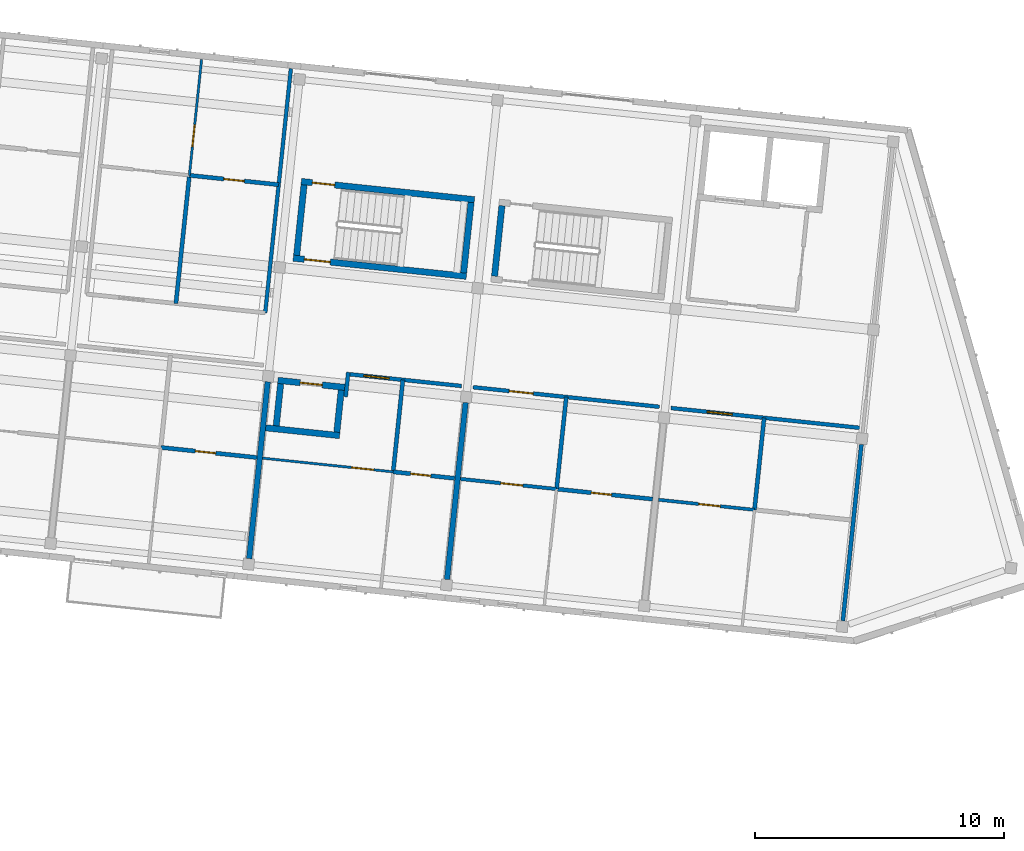
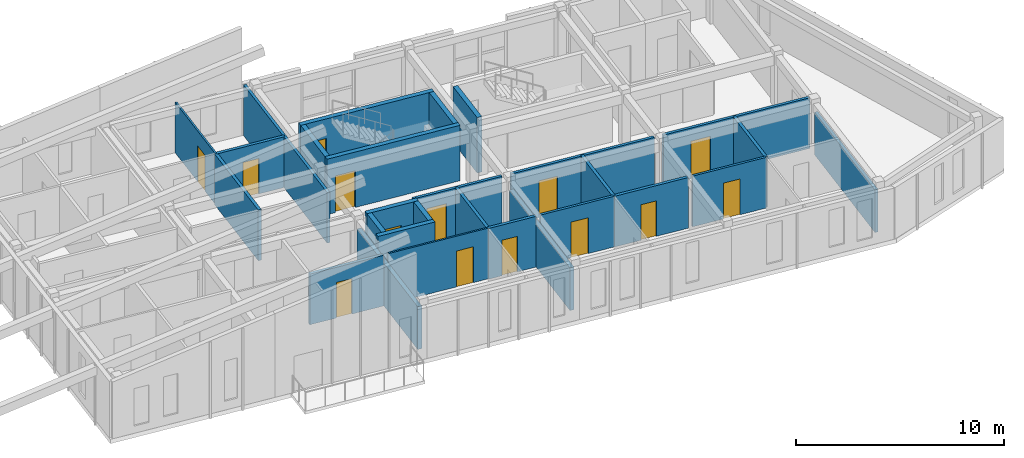
# One storey, part 18 of 34: 29 walls, 14 doors, 14 openings.
"""IFC4 building model written with IfcOpenShell, lengths in metres."""

import ifcopenshell
import ifcopenshell.guid

model = None  # the IFC model being written
_history = None  # IfcOwnerHistory: only IFC2X3 demands one
_inside = {}  # id of a spatial element -> (the spatial element, [elements in it])
_under = {}  # id of a project, library or spatial element -> (it, [spatial elements below it])
_declared = {}  # id of a project -> (the project, [libraries it declares])
_typed = {}  # id of a type object -> (the type object, [elements of that type])
_made_of = {}  # id of a material, layer set ... -> (it, [elements and type objects made of it])


def new_model(schema):
    """Start an empty IFC model of exactly this schema.

    Asked for "IFC4X3", IfcOpenShell would pick the latest addendum, in which some entities
    have other attributes; the version numbers below select the first issue.
    IFC2X3 requires an IfcOwnerHistory on every rooted entity: one is made here for all.
    """
    global model, _history
    if schema == "IFC4X3":
        model = ifcopenshell.file(schema_version=(4, 3, 0, 0))
    else:
        model = ifcopenshell.file(schema=schema)
    _inside.clear()
    _under.clear()
    _declared.clear()
    _typed.clear()
    _made_of.clear()
    _history = None
    if model.schema == "IFC2X3":
        org = make("IfcOrganization", Name="unknown")
        user = make(
            "IfcPersonAndOrganization",
            ThePerson=make("IfcPerson", FamilyName="unknown"),
            TheOrganization=org,
        )
        app = make(
            "IfcApplication",
            ApplicationDeveloper=org,
            Version="unknown",
            ApplicationFullName="unknown",
            ApplicationIdentifier="unknown",
        )
        _history = make(
            "IfcOwnerHistory",
            OwningUser=user,
            OwningApplication=app,
            ChangeAction="ADDED",
            CreationDate=0,
        )
    return model


def make(cls, **values):
    """One entity of the class cls with the attributes given. An attribute that is None is left unset."""
    return model.create_entity(
        cls, **{name: value for name, value in values.items() if value is not None}
    )


def rooted(cls, **values):
    """An entity with a GlobalId (a new one), such as an element, a storey or a relation."""
    return make(cls, GlobalId=ifcopenshell.guid.new(), OwnerHistory=_history, **values)


def si_unit(unit_type, name, prefix=None):
    """IfcSIUnit, for example si_unit("LENGTHUNIT", "METRE", prefix="MILLI")."""
    return make("IfcSIUnit", UnitType=unit_type, Prefix=prefix, Name=name)


def assignment(units):
    """IfcUnitAssignment: the units of a project."""
    return None if units is None else make("IfcUnitAssignment", Units=units)


def point(xyz):
    """IfcCartesianPoint."""
    return None if xyz is None else make("IfcCartesianPoint", Coordinates=xyz)


def direction(xyz):
    """IfcDirection."""
    return None if xyz is None else make("IfcDirection", DirectionRatios=xyz)


def frame(location, z_axis=None, x_axis=None):
    """IfcAxis2Placement3D, a coordinate frame: its origin and axes. An axis left out is left unset."""
    return make(
        "IfcAxis2Placement3D",
        Location=point(location),
        Axis=direction(z_axis),
        RefDirection=direction(x_axis),
    )


def frame_2d(location, x_axis=None):
    """IfcAxis2Placement2D, a coordinate frame in the plane: its origin and x axis."""
    return make(
        "IfcAxis2Placement2D", Location=point(location), RefDirection=direction(x_axis)
    )


def origin():
    """The frame at (0, 0, 0) with its axes left unset."""
    return frame((0.0, 0.0, 0.0))


def place(relative_to, where):
    """IfcLocalPlacement: puts the frame where relative to a parent placement (None: the world)."""
    return make(
        "IfcLocalPlacement", PlacementRelTo=relative_to, RelativePlacement=where
    )


def context(
    kind, dimensions, precision=None, world=None, true_north=None, identifier=None
):
    """IfcGeometricRepresentationContext, for example the 3D "Model" context."""
    return make(
        "IfcGeometricRepresentationContext",
        ContextIdentifier=identifier,
        ContextType=kind,
        CoordinateSpaceDimension=dimensions,
        Precision=precision,
        WorldCoordinateSystem=world,
        TrueNorth=true_north,
    )


def subcontext(parent, identifier, kind, view, scale=None):
    """IfcGeometricRepresentationSubContext, for example "Body" below "Model"."""
    return make(
        "IfcGeometricRepresentationSubContext",
        ContextIdentifier=identifier,
        ContextType=kind,
        ParentContext=parent,
        TargetScale=scale,
        TargetView=view,
    )


def project(units=None, contexts=None):
    """IfcProject with its units and contexts."""
    return rooted(
        "IfcProject",
        Name="project",
        RepresentationContexts=contexts,
        UnitsInContext=assignment(units),
    )


def spatial(cls, under=None, at=None, **own):
    """A site, building, storey or space (cls), placed at a placement, below another one or the project."""
    s = rooted(cls, ObjectPlacement=at, **own)
    if under is not None:
        _under.setdefault(under.id(), (under, []))[1].append(s)
    return s


def profile(cls, at=None, kind="AREA", **sizes):
    """A parametric profile (cls). Its sizes go by their IFC names, for example OverallWidth=200.0."""
    return make(cls, ProfileType=kind, Position=at, **sizes)


def rectangle(**sizes):
    """IfcRectangleProfileDef."""
    return profile("IfcRectangleProfileDef", **sizes)


def extrude(swept, where, along, depth):
    """IfcExtrudedAreaSolid: the profile swept, set in the frame where, extruded along a direction by depth."""
    return make(
        "IfcExtrudedAreaSolid",
        SweptArea=swept,
        Position=where,
        ExtrudedDirection=direction(along),
        Depth=depth,
    )


def shape(context_of_items, identifier, shape_type, items):
    """IfcShapeRepresentation: the items that make up one representation, for example the "Body"."""
    return make(
        "IfcShapeRepresentation",
        ContextOfItems=context_of_items,
        RepresentationIdentifier=identifier,
        RepresentationType=shape_type,
        Items=items,
    )


def material(Name=None, Category=None):
    """IfcMaterial."""
    return make("IfcMaterial", Name=Name, Category=Category)


def layer(
    of_material, thickness, ventilated=None, Name=None, Category=None, Priority=None
):
    """IfcMaterialLayer: one layer of a wall or slab, of a material (None: an air gap)."""
    return make(
        "IfcMaterialLayer",
        Material=of_material,
        LayerThickness=thickness,
        IsVentilated=ventilated,
        Name=Name,
        Category=Category,
        Priority=Priority,
    )


def layer_set(layers, Name=None):
    """IfcMaterialLayerSet."""
    return make("IfcMaterialLayerSet", MaterialLayers=layers, LayerSetName=Name)


def made_of(thing, what):
    """Note that an element or type object is made of a material, layer set ...; save() writes the relation."""
    if what is not None:
        _made_of.setdefault(what.id(), (what, []))[1].append(thing)
    return thing


def type_object(cls, material=None, **own):
    """A type object (cls), such as IfcWallType, which elements share."""
    return made_of(rooted(cls, **own), material)


def element(
    cls,
    number,
    at=None,
    inside=None,
    cuts=None,
    type_object=None,
    material=None,
    context=None,
    identifier="Body",
    shape_type=None,
    held_by="IfcProductDefinitionShape",
    body=None,
    shapes=None,
    **own,
):
    """One element of the class cls, such as IfcWall. Its Tag is "e" and its number.

    at: its placement. inside: the storey or other place that contains it. cuts: it is an
    opening in that element (IfcRelVoidsElement). A single representation is given by context,
    identifier, shape_type and body (its items); several are given by shapes. held_by: the class
    of the entity that holds the representations. save() writes the other relations.
    """
    e = rooted(cls, Tag="e%d" % number, ObjectPlacement=at, **own)
    if body is not None:
        shapes = [shape(context, identifier, shape_type, body)]
    if shapes is not None:
        e.Representation = make(held_by, Representations=shapes)
    if inside is not None:
        _inside.setdefault(inside.id(), (inside, []))[1].append(e)
    if cuts is not None:
        rooted(
            "IfcRelVoidsElement", RelatingBuildingElement=cuts, RelatedOpeningElement=e
        )
    if type_object is not None:
        _typed.setdefault(type_object.id(), (type_object, []))[1].append(e)
    return made_of(e, material)


def fill(opening, filler):
    """IfcRelFillsElement: the door or window that sits in an opening."""
    return rooted(
        "IfcRelFillsElement",
        RelatingOpeningElement=opening,
        RelatedBuildingElement=filler,
    )


def aggregate(whole, parts):
    """IfcRelAggregates: a whole, such as a stair, and the parts it consists of."""
    return rooted("IfcRelAggregates", RelatingObject=whole, RelatedObjects=parts)


def save(model, path):
    """Write the relations noted so far, then the file.

    IfcRelAggregates (storeys below a building ...), IfcRelContainedInSpatialStructure (elements
    in a storey), IfcRelDefinesByType, IfcRelAssociatesMaterial and IfcRelDeclares: one each for
    every whole, place, type object, material and project.
    """
    for whole, parts in _under.values():
        aggregate(whole, parts)
    for where, things in _inside.values():
        rooted(
            "IfcRelContainedInSpatialStructure",
            RelatedElements=things,
            RelatingStructure=where,
        )
    for kind, things in _typed.values():
        rooted("IfcRelDefinesByType", RelatedObjects=things, RelatingType=kind)
    for what, things in _made_of.values():
        rooted("IfcRelAssociatesMaterial", RelatedObjects=things, RelatingMaterial=what)
    for by, libraries in _declared.values():
        rooted("IfcRelDeclares", RelatingContext=by, RelatedDefinitions=libraries)
    model.write(path)


model = new_model("IFC4")

# Units and contexts
model_context = context("Model", 3, precision=1e-05, world=origin(), true_north=direction((0.0, 1.0)))
body_context = subcontext(model_context, "Body", "Model", "MODEL_VIEW")
ifc_project = project(units=[si_unit("LENGTHUNIT", "METRE"), si_unit("AREAUNIT", "SQUARE_METRE"), si_unit("VOLUMEUNIT", "CUBIC_METRE"), si_unit("PLANEANGLEUNIT", "RADIAN"), si_unit("MASSUNIT", "GRAM", prefix="KILO")], contexts=[model_context])

# Site, building, storey
site_placement = place(None, origin())
site = spatial("IfcSite", under=ifc_project, at=site_placement, CompositionType="ELEMENT")
building_placement = place(site_placement, origin())
building = spatial("IfcBuilding", under=site, at=building_placement, Name="Kestramere Prow Commons", CompositionType="ELEMENT")
storey_placement = place(building_placement, frame((0.0, 0.0, 34.39990234375)))
storey = spatial("IfcBuildingStorey", under=building, at=storey_placement, Name="L10", CompositionType="ELEMENT", Elevation=34.39990234375)

# Wall, opening, door
ifc_material_1 = material(Name="Concrete C40/50", Category="concrete")
ifc_layer_1 = layer(ifc_material_1, 0.25)
ifc_layer_set_1 = layer_set([ifc_layer_1], Name="Concrete C40/50")
wall_type_1 = type_object("IfcWallType", Name="W-CORE-250", PredefinedType="SHEAR", material=ifc_layer_set_1)
wall_1_placement = place(storey_placement, frame((135.988525390625, 107.678955078125, 0.0), z_axis=(0.0, 0.0, 1.0), x_axis=(0.994522066748, -0.104526832686, 0.0)))
wall_1 = element("IfcWall", 1, at=wall_1_placement, inside=storey, type_object=wall_type_1, Name="ST-B1 L10 North Shaft Wall", PredefinedType="SHEAR", context=body_context, shape_type="SweptSolid", body=[
    extrude(rectangle(XDim=7.0, YDim=0.25, at=frame_2d((3.5, 0.0))), origin(), (0.0, 0.0, 1.0), 3.25),
])
opening_1_placement = place(wall_1_placement, frame((0.449951171875, 0.0, 0.0)))
opening_1 = element("IfcOpeningElement", 2, at=opening_1_placement, cuts=wall_1, Name="Opening ID-08", PredefinedType="OPENING", context=body_context, shape_type="SweptSolid", body=[
    extrude(rectangle(XDim=0.89990234375, YDim=2.10009765625, at=frame_2d((0.449951171875, 1.050048828125))), frame((0.0, 0.139892578125, 0.0), z_axis=(0.0, -1.0, 0.0), x_axis=(1.0, 0.0, 0.0)), (0.0, 0.0, 1.0), 0.280029296875),
])
ifc_material_2 = material(Name="Engineered Timber Flush Door", Category="wood")
door_type_1 = type_object("IfcDoorType", Name="D-RM-01", OperationType="NOTDEFINED", PredefinedType="DOOR", material=ifc_material_2)
door_1_placement = place(opening_1_placement, origin())
door_1 = element("IfcDoor", 3, at=door_1_placement, inside=storey, type_object=door_type_1, Name="ST-B1 L10 North Room Door", OperationType="SINGLE_SWING_RIGHT", OverallHeight=2.10009765625, OverallWidth=0.89990234375, PredefinedType="DOOR", context=body_context, shape_type="SweptSolid", body=[
    extrude(rectangle(XDim=0.89990234375, YDim=2.10009765625, at=frame_2d((0.449951171875, 1.050048828125))), frame((0.0, 0.02490234375, 0.0), z_axis=(0.0, -1.0, 0.0), x_axis=(1.0, 0.0, 0.0)), (0.0, 0.0, 1.0), 0.050048828125),
])
fill(opening_1, door_1)

wall_2_placement = place(storey_placement, frame((135.66455078125, 104.595947265625, 0.0), z_axis=(0.0, 0.0, 1.0), x_axis=(0.994522066748, -0.104526832686, 0.0)))
wall_2 = element("IfcWall", 4, at=wall_2_placement, inside=storey, type_object=wall_type_1, Name="ST-B1 L10 Corridor Shaft Wall", PredefinedType="SHEAR", context=body_context, shape_type="SweptSolid", body=[
    extrude(rectangle(XDim=7.0, YDim=0.25, at=frame_2d((3.5, 0.0))), origin(), (0.0, 0.0, 1.0), 3.25),
])
opening_2_placement = place(wall_2_placement, frame((0.449951171875, 0.0, 0.0)))
opening_2 = element("IfcOpeningElement", 5, at=opening_2_placement, cuts=wall_2, Name="Opening ID-01", PredefinedType="OPENING", context=body_context, shape_type="SweptSolid", body=[
    extrude(rectangle(XDim=1.050048828125, YDim=2.14990234375, at=frame_2d((0.52490234375, 1.074951171875))), frame((0.0, 0.139892578125, 0.0), z_axis=(0.0, -1.0, 0.0), x_axis=(1.0, 0.0, 0.0)), (0.0, 0.0, 1.0), 0.280029296875),
])
ifc_material_3 = material(Name="Fire-Rated Timber and Steel Frame", Category="steel")
door_type_2 = type_object("IfcDoorType", Name="FD-ST-01", OperationType="NOTDEFINED", PredefinedType="DOOR", material=ifc_material_3)
door_2_placement = place(opening_2_placement, origin())
door_2 = element("IfcDoor", 6, at=door_2_placement, inside=storey, type_object=door_type_2, Name="ST-B1 L10 Protected Stair Door", OperationType="SINGLE_SWING_LEFT", OverallHeight=2.14990234375, OverallWidth=1.050048828125, PredefinedType="DOOR", context=body_context, shape_type="SweptSolid", body=[
    extrude(rectangle(XDim=1.050048828125, YDim=2.14990234375, at=frame_2d((0.52490234375, 1.074951171875))), frame((0.0, 0.02490234375, 0.0), z_axis=(0.0, -1.0, 0.0), x_axis=(1.0, 0.0, 0.0)), (0.0, 0.0, 1.0), 0.050048828125),
])
fill(opening_2, door_2)

# Walls
for number, where, z_axis, x_axis, name in (
    (7, (135.802001953125, 104.707275390625, 0.0), (0.0, 0.0, 1.0), (0.104515324063, 0.994523276267, 0.0), "ST-B1 L10 Near Shaft Wall"),
    (8, (142.514892578125, 104.001708984375, 0.0), (0.0, 0.0, 1.0), (0.104515324063, 0.994523276267, 0.0), "ST-B1 L10 Far Shaft Wall"),
    (9, (143.758056640625, 103.87109375, 0.0), (0.0, 0.0, 1.0), (0.104515324063, 0.994523276267, 0.0), "ST-B2 L10 Near Shaft Wall"),
):
    element("IfcWall", number, at=place(storey_placement, frame(where, z_axis=z_axis, x_axis=x_axis)), inside=storey, type_object=wall_type_1, Name=name, PredefinedType="SHEAR", context=body_context, shape_type="SweptSolid", body=[
        extrude(rectangle(XDim=2.849853515625, YDim=0.25, at=frame_2d((1.4248046875, 0.0))), origin(), (0.0, 0.0, 1.0), 3.25),
    ])
ifc_material_4 = material(Name="Fire-Rated Calcium Silicate Wall")
ifc_layer_2 = layer(ifc_material_4, 0.155029296875)
ifc_layer_set_2 = layer_set([ifc_layer_2], Name="Fire-Rated Calcium Silicate Wall")
wall_type_2 = type_object("IfcWallType", Name="W-FIRE-150", PredefinedType="PARTITIONING", material=ifc_layer_set_2)
wall_3_placement = place(storey_placement, frame((137.773193359375, 99.02001953125, 0.0), z_axis=(0.0, 0.0, 1.0), x_axis=(0.104531505358, 0.994521575627, 0.0)))
element("IfcWall", 10, at=wall_3_placement, inside=storey, type_object=wall_type_2, Name="Interior Partition PW-B-L10-HS-CLOSER", PredefinedType="PARTITIONING", context=body_context, shape_type="SweptSolid", body=[
    extrude(rectangle(XDim=0.994873046875, YDim=0.155029296875, at=frame_2d((0.49755859375, 0.0))), origin(), (0.0, 0.0, 1.0), 2.97021484375),
])

# Wall, opening, door
wall_4_placement = place(storey_placement, frame((137.948974609375, 99.926513671875, 0.0), z_axis=(0.0, 0.0, 1.0), x_axis=(0.994526220308, -0.104487306019, 0.0)))
wall_4 = element("IfcWall", 11, at=wall_4_placement, inside=storey, type_object=wall_type_2, Name="Interior Partition PW-B-L10-CS-3", PredefinedType="PARTITIONING", context=body_context, shape_type="SweptSolid", body=[
    extrude(rectangle(XDim=4.5048828125, YDim=0.155029296875, at=frame_2d((2.25244140625, 0.0))), origin(), (0.0, 0.0, 1.0), 2.97021484375),
])
opening_3_placement = place(wall_4_placement, frame((0.556884765625, 0.0, 0.0)))
opening_3 = element("IfcOpeningElement", 12, at=opening_3_placement, cuts=wall_4, Name="Opening ID-05", PredefinedType="OPENING", context=body_context, shape_type="SweptSolid", body=[
    extrude(rectangle(XDim=1.02001953125, YDim=2.199951171875, at=frame_2d((0.510009765625, 1.10009765625))), frame((0.0, 0.092529296875, 0.0), z_axis=(0.0, -1.0, 0.0), x_axis=(1.0, 0.0, 0.0)), (0.0, 0.0, 1.0), 0.18505859375),
])
ifc_material_5 = material(Name="Hardwood Fire-Rated Flat Entrance Door", Category="wood")
door_type_3 = type_object("IfcDoorType", Name="FD-ENT-02", OperationType="NOTDEFINED", PredefinedType="DOOR", material=ifc_material_5)
door_3_placement = place(opening_3_placement, origin())
door_3 = element("IfcDoor", 13, at=door_3_placement, inside=storey, type_object=door_type_3, Name="Interior Door DR-B-L10-ENT-S3", OperationType="SINGLE_SWING_RIGHT", OverallHeight=2.199951171875, OverallWidth=1.02001953125, PredefinedType="DOOR", context=body_context, shape_type="SweptSolid", body=[
    extrude(rectangle(XDim=1.02001953125, YDim=2.199951171875, at=frame_2d((0.510009765625, 1.10009765625))), frame((0.0, 0.02490234375, 0.0), z_axis=(0.0, -1.0, 0.0), x_axis=(1.0, 0.0, 0.0)), (0.0, 0.0, 1.0), 0.050048828125),
])
fill(opening_3, door_3)

wall_5_placement = place(storey_placement, frame((142.896728515625, 99.406494140625, 0.0), z_axis=(0.0, 0.0, 1.0), x_axis=(0.994521785195, -0.104529511491, 0.0)))
wall_5 = element("IfcWall", 14, at=wall_5_placement, inside=storey, type_object=wall_type_2, Name="Interior Partition PW-B-L10-CS-4", PredefinedType="PARTITIONING", context=body_context, shape_type="SweptSolid", body=[
    extrude(rectangle(XDim=7.530029296875, YDim=0.155029296875, at=frame_2d((3.76513671875, 0.0))), origin(), (0.0, 0.0, 1.0), 2.97021484375),
])
opening_4_placement = place(wall_5_placement, frame((1.455078125, 0.0, 0.0)))
opening_4 = element("IfcOpeningElement", 15, at=opening_4_placement, cuts=wall_5, Name="Opening ID-04", PredefinedType="OPENING", context=body_context, shape_type="SweptSolid", body=[
    extrude(rectangle(XDim=0.97998046875, YDim=2.14990234375, at=frame_2d((0.489990234375, 1.074951171875))), frame((0.0, 0.092529296875, 0.0), z_axis=(0.0, -1.0, 0.0), x_axis=(1.0, 0.0, 0.0)), (0.0, 0.0, 1.0), 0.18505859375),
])
door_type_4 = type_object("IfcDoorType", Name="FD-ENT-01", OperationType="NOTDEFINED", PredefinedType="DOOR", material=ifc_material_5)
door_4_placement = place(opening_4_placement, origin())
door_4 = element("IfcDoor", 16, at=door_4_placement, inside=storey, type_object=door_type_4, Name="Interior Door DR-B-L10-ENT-S4", OperationType="SINGLE_SWING_LEFT", OverallHeight=2.14990234375, OverallWidth=0.97998046875, PredefinedType="DOOR", context=body_context, shape_type="SweptSolid", body=[
    extrude(rectangle(XDim=0.97998046875, YDim=2.14990234375, at=frame_2d((0.489990234375, 1.074951171875))), frame((0.0, 0.02490234375, 0.0), z_axis=(0.0, -1.0, 0.0), x_axis=(1.0, 0.0, 0.0)), (0.0, 0.0, 1.0), 0.050048828125),
])
fill(opening_4, door_4)

wall_6_placement = place(storey_placement, frame((150.85302734375, 98.5703125, 0.0), z_axis=(0.0, 0.0, 1.0), x_axis=(0.994523865423, -0.104509717754, 0.0)))
wall_6 = element("IfcWall", 17, at=wall_6_placement, inside=storey, type_object=wall_type_2, Name="Interior Partition PW-B-L10-CS-5", PredefinedType="PARTITIONING", context=body_context, shape_type="SweptSolid", body=[
    extrude(rectangle(XDim=7.695068359375, YDim=0.155029296875, at=frame_2d((3.84765625, 0.0))), origin(), (0.0, 0.0, 1.0), 2.97021484375),
])
opening_5_placement = place(wall_6_placement, frame((1.455078125, 0.0, 0.0)))
opening_5 = element("IfcOpeningElement", 18, at=opening_5_placement, cuts=wall_6, Name="Opening ID-05", PredefinedType="OPENING", context=body_context, shape_type="SweptSolid", body=[
    extrude(rectangle(XDim=1.02001953125, YDim=2.199951171875, at=frame_2d((0.510009765625, 1.10009765625))), frame((0.0, 0.092529296875, 0.0), z_axis=(0.0, -1.0, 0.0), x_axis=(1.0, 0.0, 0.0)), (0.0, 0.0, 1.0), 0.18505859375),
])
door_5_placement = place(opening_5_placement, origin())
door_5 = element("IfcDoor", 19, at=door_5_placement, inside=storey, type_object=door_type_3, Name="Interior Door DR-B-L10-ENT-S5", OperationType="SINGLE_SWING_RIGHT", OverallHeight=2.199951171875, OverallWidth=1.02001953125, PredefinedType="DOOR", context=body_context, shape_type="SweptSolid", body=[
    extrude(rectangle(XDim=1.02001953125, YDim=2.199951171875, at=frame_2d((0.510009765625, 1.10009765625))), frame((0.0, 0.02490234375, 0.0), z_axis=(0.0, -1.0, 0.0), x_axis=(1.0, 0.0, 0.0)), (0.0, 0.0, 1.0), 0.050048828125),
])
fill(opening_5, door_5)

# Wall
ifc_layer_3 = layer(ifc_material_1, 0.25)
ifc_layer_set_3 = layer_set([ifc_layer_3], Name="Concrete C40/50")
wall_type_3 = type_object("IfcWallType", Name="W-HS-250", PredefinedType="SHEAR", material=ifc_layer_set_3)
wall_7_placement = place(storey_placement, frame((134.555419921875, 97.774658203125, 0.0), z_axis=(0.0, 0.0, 1.0), x_axis=(0.994514844427, -0.104595526741, 0.0)))
element("IfcWall", 20, at=wall_7_placement, inside=storey, type_object=wall_type_3, Name="Block B L10 Household Shelter South Wall", PredefinedType="SHEAR", context=body_context, shape_type="SweptSolid", body=[
    extrude(rectangle(XDim=2.989990234375, YDim=0.25, at=frame_2d((1.4951171875, 0.0))), origin(), (0.0, 0.0, 1.0), 3.25),
])

# Wall, opening, door
wall_8_placement = place(storey_placement, frame((135.047607421875, 99.68359375, 0.0), z_axis=(0.0, 0.0, 1.0), x_axis=(0.994522285292, -0.104524753323, 0.0)))
wall_8 = element("IfcWall", 21, at=wall_8_placement, inside=storey, type_object=wall_type_3, Name="Block B L10 Household Shelter North Wall", PredefinedType="SHEAR", context=body_context, shape_type="SweptSolid", body=[
    extrude(rectangle(XDim=2.7001953125, YDim=0.25, at=frame_2d((1.35009765625, 0.0))), origin(), (0.0, 0.0, 1.0), 3.25),
])
opening_6_placement = place(wall_8_placement, frame((0.89990234375, 0.0, 0.0)))
opening_6 = element("IfcOpeningElement", 22, at=opening_6_placement, cuts=wall_8, Name="Opening ID-06", PredefinedType="OPENING", context=body_context, shape_type="SweptSolid", body=[
    extrude(rectangle(XDim=0.89990234375, YDim=2.050048828125, at=frame_2d((0.449951171875, 1.02490234375))), frame((0.0, 0.139892578125, 0.0), z_axis=(0.0, -1.0, 0.0), x_axis=(1.0, 0.0, 0.0)), (0.0, 0.0, 1.0), 0.280029296875),
])
ifc_material_6 = material(Name="Galvanised Steel S275JR Household Shelter Door", Category="steel")
door_type_5 = type_object("IfcDoorType", Name="FD-HS-01", OperationType="NOTDEFINED", PredefinedType="DOOR", material=ifc_material_6)
door_6_placement = place(opening_6_placement, origin())
door_6 = element("IfcDoor", 23, at=door_6_placement, inside=storey, type_object=door_type_5, Name="Block B L10 Household Shelter Blast Door", OperationType="SINGLE_SWING_RIGHT", OverallHeight=2.050048828125, OverallWidth=0.89990234375, PredefinedType="DOOR", context=body_context, shape_type="SweptSolid", body=[
    extrude(rectangle(XDim=0.89990234375, YDim=2.050048828125, at=frame_2d((0.449951171875, 1.02490234375))), frame((0.0, 0.02490234375, 0.0), z_axis=(0.0, -1.0, 0.0), x_axis=(1.0, 0.0, 0.0)), (0.0, 0.0, 1.0), 0.050048828125),
])
fill(opening_6, door_6)

# Walls
for number, where, z_axis, x_axis, name in (
    (24, (134.981201171875, 97.85546875, 0.0), (0.0, 0.0, 1.0), (0.104550220202, 0.994519608382, 0.0), "Block B L10 Household Shelter W Wall"),
    (25, (137.417724609375, 97.599365234375, 0.0), (0.0, 0.0, 1.0), (0.104550220202, 0.994519608382, 0.0), "Block B L10 Household Shelter E Wall"),
):
    element("IfcWall", number, at=place(storey_placement, frame(where, z_axis=z_axis, x_axis=x_axis)), inside=storey, type_object=wall_type_3, Name=name, PredefinedType="SHEAR", context=body_context, shape_type="SweptSolid", body=[
        extrude(rectangle(XDim=1.699951171875, YDim=0.25, at=frame_2d((0.85009765625, 0.0))), origin(), (0.0, 0.0, 1.0), 3.25),
    ])

# Wall, opening, door
ifc_material_7 = material(Name="Lightweight Blockwork and Plaster", Category="masonry")
ifc_layer_4 = layer(ifc_material_7, 0.1298828125)
ifc_layer_set_4 = layer_set([ifc_layer_4], Name="Lightweight Blockwork and Plaster")
wall_type_4 = type_object("IfcWallType", Name="W-PART-130", PredefinedType="PARTITIONING", material=ifc_layer_set_4)
wall_9_placement = place(storey_placement, frame((150.3447265625, 94.88330078125, 0.0), z_axis=(0.0, 0.0, 1.0), x_axis=(0.994524375082, -0.104504867671, 0.0)))
wall_9 = element("IfcWall", 26, at=wall_9_placement, inside=storey, type_object=wall_type_4, Name="Interior Partition PW-B-L10-MIDS1-5", PredefinedType="PARTITIONING", context=body_context, shape_type="SweptSolid", body=[
    extrude(rectangle(XDim=3.885009765625, YDim=0.1298828125, at=frame_2d((1.9423828125, 0.0))), origin(), (0.0, 0.0, 1.0), 2.97021484375),
])
opening_7_placement = place(wall_9_placement, frame((1.625, 0.0, 0.0)))
opening_7 = element("IfcOpeningElement", 27, at=opening_7_placement, cuts=wall_9, Name="Opening ID-10", PredefinedType="OPENING", context=body_context, shape_type="SweptSolid", body=[
    extrude(rectangle(XDim=0.8798828125, YDim=2.10009765625, at=frame_2d((0.43994140625, 1.050048828125))), frame((0.0, 0.079833984375, 0.0), z_axis=(0.0, -1.0, 0.0), x_axis=(1.0, 0.0, 0.0)), (0.0, 0.0, 1.0), 0.159912109375),
])
ifc_material_8 = material(Name="Engineered Timber Bedroom Door", Category="wood")
door_type_6 = type_object("IfcDoorType", Name="D-RM-03", OperationType="NOTDEFINED", PredefinedType="DOOR", material=ifc_material_8)
door_7_placement = place(opening_7_placement, origin())
door_7 = element("IfcDoor", 28, at=door_7_placement, inside=storey, type_object=door_type_6, Name="Interior Door DR-B-L10-KL-S5", OperationType="SINGLE_SWING_RIGHT", OverallHeight=2.10009765625, OverallWidth=0.8798828125, PredefinedType="DOOR", context=body_context, shape_type="SweptSolid", body=[
    extrude(rectangle(XDim=0.8798828125, YDim=2.10009765625, at=frame_2d((0.43994140625, 1.050048828125))), frame((0.0, 0.02490234375, 0.0), z_axis=(0.0, -1.0, 0.0), x_axis=(1.0, 0.0, 0.0)), (0.0, 0.0, 1.0), 0.050048828125),
])
fill(opening_7, door_7)

ifc_material_9 = material(Name="Masonry Compartment Wall", Category="masonry")
ifc_layer_5 = layer(ifc_material_9, 0.139892578125)
ifc_layer_set_5 = layer_set([ifc_layer_5], Name="Masonry Compartment Wall")
wall_type_5 = type_object("IfcWallType", Name="W-PART-140", PredefinedType="PARTITIONING", material=ifc_layer_set_5)
wall_10_placement = place(storey_placement, frame((142.388427734375, 95.719482421875, 0.0), z_axis=(0.0, 0.0, 1.0), x_axis=(0.994524375082, -0.104504867671, 0.0)))
wall_10 = element("IfcWall", 29, at=wall_10_placement, inside=storey, type_object=wall_type_5, Name="Interior Partition PW-B-L10-MIDS1-4", PredefinedType="PARTITIONING", context=body_context, shape_type="SweptSolid", body=[
    extrude(rectangle(XDim=3.885009765625, YDim=0.139892578125, at=frame_2d((1.9423828125, 0.0))), origin(), (0.0, 0.0, 1.0), 2.97021484375),
])
opening_8_placement = place(wall_10_placement, frame((1.625, 0.0, 0.0)))
opening_8 = element("IfcOpeningElement", 30, at=opening_8_placement, cuts=wall_10, Name="Opening ID-08", PredefinedType="OPENING", context=body_context, shape_type="SweptSolid", body=[
    extrude(rectangle(XDim=0.89990234375, YDim=2.10009765625, at=frame_2d((0.449951171875, 1.050048828125))), frame((0.0, 0.0849609375, 0.0), z_axis=(0.0, -1.0, 0.0), x_axis=(1.0, 0.0, 0.0)), (0.0, 0.0, 1.0), 0.169921875),
])
door_8_placement = place(opening_8_placement, origin())
door_8 = element("IfcDoor", 31, at=door_8_placement, inside=storey, type_object=door_type_1, Name="Interior Door DR-B-L10-KL-S4", OperationType="SINGLE_SWING_RIGHT", OverallHeight=2.10009765625, OverallWidth=0.89990234375, PredefinedType="DOOR", context=body_context, shape_type="SweptSolid", body=[
    extrude(rectangle(XDim=0.89990234375, YDim=2.10009765625, at=frame_2d((0.449951171875, 1.050048828125))), frame((0.0, 0.02490234375, 0.0), z_axis=(0.0, -1.0, 0.0), x_axis=(1.0, 0.0, 0.0)), (0.0, 0.0, 1.0), 0.050048828125),
])
fill(opening_8, door_8)

# Wall
ifc_layer_6 = layer(ifc_material_9, 0.14990234375)
ifc_layer_set_6 = layer_set([ifc_layer_6], Name="Masonry Compartment Wall")
wall_type_6 = type_object("IfcWallType", Name="W-PART-150", PredefinedType="PARTITIONING", material=ifc_layer_set_6)
wall_11_placement = place(storey_placement, frame((134.53857421875, 102.396728515625, 0.0), z_axis=(0.0, 0.0, 1.0), x_axis=(0.104508379977, 0.994524006002, 0.0)))
element("IfcWall", 32, at=wall_11_placement, inside=storey, type_object=wall_type_6, Name="Interior Partition PW-B-L10-NWR-2", PredefinedType="PARTITIONING", context=body_context, shape_type="SweptSolid", body=[
    extrude(rectangle(XDim=9.869873046875, YDim=0.14990234375, at=frame_2d((4.93505859375, 0.0))), origin(), (0.0, 0.0, 1.0), 2.97021484375),
])

# Wall, opening, door
ifc_material_10 = material(Name="Gypsum Acoustic Drywall")
ifc_layer_7 = layer(ifc_material_10, 0.094970703125)
ifc_layer_set_7 = layer_set([ifc_layer_7], Name="Gypsum Acoustic Drywall")
wall_type_7 = type_object("IfcWallType", Name="W-PART-95", PredefinedType="PARTITIONING", material=ifc_layer_set_7)
wall_12_placement = place(storey_placement, frame((134.432373046875, 96.5556640625, 0.0), z_axis=(0.0, 0.0, 1.0), x_axis=(0.994524692105, -0.104501850668, 0.0)))
wall_12 = element("IfcWall", 33, at=wall_12_placement, inside=storey, type_object=wall_type_7, Name="Interior Partition PW-B-L10-MIDS1-3", PredefinedType="PARTITIONING", context=body_context, shape_type="SweptSolid", body=[
    extrude(rectangle(XDim=5.27978515625, YDim=0.094970703125, at=frame_2d((2.639892578125, 0.0))), origin(), (0.0, 0.0, 1.0), 2.97021484375),
])
opening_9_placement = place(wall_12_placement, frame((3.594970703125, 0.0, 0.0)))
opening_9 = element("IfcOpeningElement", 34, at=opening_9_placement, cuts=wall_12, Name="Opening ID-08", PredefinedType="OPENING", context=body_context, shape_type="SweptSolid", body=[
    extrude(rectangle(XDim=0.89990234375, YDim=2.10009765625, at=frame_2d((0.449951171875, 1.050048828125))), frame((0.0, 0.0625, 0.0), z_axis=(0.0, -1.0, 0.0), x_axis=(1.0, 0.0, 0.0)), (0.0, 0.0, 1.0), 0.125),
])
door_9_placement = place(opening_9_placement, origin())
door_9 = element("IfcDoor", 35, at=door_9_placement, inside=storey, type_object=door_type_1, Name="Interior Door DR-B-L10-KL-S3", OperationType="SINGLE_SWING_RIGHT", OverallHeight=2.10009765625, OverallWidth=0.89990234375, PredefinedType="DOOR", context=body_context, shape_type="SweptSolid", body=[
    extrude(rectangle(XDim=0.89990234375, YDim=2.10009765625, at=frame_2d((0.449951171875, 1.050048828125))), frame((0.0, 0.02490234375, 0.0), z_axis=(0.0, -1.0, 0.0), x_axis=(1.0, 0.0, 0.0)), (0.0, 0.0, 1.0), 0.050048828125),
])
fill(opening_9, door_9)

wall_13_placement = place(storey_placement, frame((131.48974609375, 107.925537109375, 0.0), z_axis=(0.0, 0.0, 1.0), x_axis=(0.104527618124, 0.994521984196, 0.0)))
wall_13 = element("IfcWall", 36, at=wall_13_placement, inside=storey, type_object=wall_type_7, Name="Interior Partition PW-B-L10-LB-N2", PredefinedType="PARTITIONING", context=body_context, shape_type="SweptSolid", body=[
    extrude(rectangle(XDim=4.68994140625, YDim=0.094970703125, at=frame_2d((2.344970703125, 0.0))), origin(), (0.0, 0.0, 1.0), 2.97021484375),
])
opening_10_placement = place(wall_13_placement, frame((1.14990234375, 0.0, 0.0)))
opening_10 = element("IfcOpeningElement", 37, at=opening_10_placement, cuts=wall_13, Name="Opening ID-08", PredefinedType="OPENING", context=body_context, shape_type="SweptSolid", body=[
    extrude(rectangle(XDim=0.89990234375, YDim=2.10009765625, at=frame_2d((0.449951171875, 1.050048828125))), frame((0.0, 0.0625, 0.0), z_axis=(0.0, -1.0, 0.0), x_axis=(1.0, 0.0, 0.0)), (0.0, 0.0, 1.0), 0.125),
])
door_10_placement = place(opening_10_placement, origin())
door_10 = element("IfcDoor", 38, at=door_10_placement, inside=storey, type_object=door_type_1, Name="Interior Door DR-B-L10-BED-N2", OperationType="SINGLE_SWING_LEFT", OverallHeight=2.10009765625, OverallWidth=0.89990234375, PredefinedType="DOOR", context=body_context, shape_type="SweptSolid", body=[
    extrude(rectangle(XDim=0.89990234375, YDim=2.10009765625, at=frame_2d((0.449951171875, 1.050048828125))), frame((0.0, 0.02490234375, 0.0), z_axis=(0.0, -1.0, 0.0), x_axis=(1.0, 0.0, 0.0)), (0.0, 0.0, 1.0), 0.050048828125),
])
fill(opening_10, door_10)

# Wall
ifc_material_11 = material(Name="Waterproof Sanitary Masonry Wall", Category="masonry")
ifc_layer_8 = layer(ifc_material_11, 0.1650390625)
ifc_layer_set_8 = layer_set([ifc_layer_8], Name="Waterproof Sanitary Masonry Wall")
wall_type_8 = type_object("IfcWallType", Name="W-PLUMB-150", PredefinedType="PLUMBINGWALL", material=ifc_layer_set_8)
wall_14_placement = place(storey_placement, frame((157.76171875, 90.016357421875, 0.0), z_axis=(0.0, 0.0, 1.0), x_axis=(0.10450653689, 0.994524199679, 0.0)))
element("IfcWall", 39, at=wall_14_placement, inside=storey, type_object=wall_type_8, Name="Interior Partition PW-B-L10-PRWE-S", PredefinedType="PLUMBINGWALL", context=body_context, shape_type="SweptSolid", body=[
    extrude(rectangle(XDim=7.1298828125, YDim=0.1650390625, at=frame_2d((3.56494140625, 0.0))), origin(), (0.0, 0.0, 1.0), 2.5),
])

# Wall, opening, door
wall_15_placement = place(storey_placement, frame((130.33984375, 96.98583984375, 0.0), z_axis=(0.0, 0.0, 1.0), x_axis=(0.994524375082, -0.104504867671, 0.0)))
wall_15 = element("IfcWall", 40, at=wall_15_placement, inside=storey, type_object=wall_type_8, Name="Interior Partition PW-B-L10-MIDS2-2", PredefinedType="PLUMBINGWALL", context=body_context, shape_type="SweptSolid", body=[
    extrude(rectangle(XDim=3.885009765625, YDim=0.1650390625, at=frame_2d((1.9423828125, 0.0))), origin(), (0.0, 0.0, 1.0), 2.97021484375),
])
opening_11_placement = place(wall_15_placement, frame((1.39990234375, 0.0, 0.0)))
opening_11 = element("IfcOpeningElement", 41, at=opening_11_placement, cuts=wall_15, Name="Opening ID-11", PredefinedType="OPENING", context=body_context, shape_type="SweptSolid", body=[
    extrude(rectangle(XDim=0.820068359375, YDim=2.080078125, at=frame_2d((0.41015625, 1.0400390625))), frame((0.0, 0.097412109375, 0.0), z_axis=(0.0, -1.0, 0.0), x_axis=(1.0, 0.0, 0.0)), (0.0, 0.0, 1.0), 0.195068359375),
])
ifc_material_12 = material(Name="Moisture-Resistant Timber Bathroom Door", Category="wood")
door_type_7 = type_object("IfcDoorType", Name="D-BT-01", OperationType="NOTDEFINED", PredefinedType="DOOR", material=ifc_material_12)
door_11_placement = place(opening_11_placement, origin())
door_11 = element("IfcDoor", 42, at=door_11_placement, inside=storey, type_object=door_type_7, Name="Interior Door DR-B-L10-BTH-S2", OperationType="SINGLE_SWING_LEFT", OverallHeight=2.080078125, OverallWidth=0.820068359375, PredefinedType="DOOR", context=body_context, shape_type="SweptSolid", body=[
    extrude(rectangle(XDim=0.820068359375, YDim=2.080078125, at=frame_2d((0.41015625, 1.0400390625))), frame((0.0, 0.02490234375, 0.0), z_axis=(0.0, -1.0, 0.0), x_axis=(1.0, 0.0, 0.0)), (0.0, 0.0, 1.0), 0.050048828125),
])
fill(opening_11, door_11)

wall_16_placement = place(storey_placement, frame((139.683349609375, 96.00390625, 0.0), z_axis=(0.0, 0.0, 1.0), x_axis=(0.994523702879, -0.104511264518, 0.0)))
wall_16 = element("IfcWall", 43, at=wall_16_placement, inside=storey, type_object=wall_type_8, Name="Interior Partition PW-B-L10-MIDS2-3", PredefinedType="PLUMBINGWALL", context=body_context, shape_type="SweptSolid", body=[
    extrude(rectangle(XDim=2.490234375, YDim=0.1650390625, at=frame_2d((1.2451171875, 0.0))), origin(), (0.0, 0.0, 1.0), 2.97021484375),
])
opening_12_placement = place(wall_16_placement, frame((0.702880859375, 0.0, 0.0)))
opening_12 = element("IfcOpeningElement", 44, at=opening_12_placement, cuts=wall_16, Name="Opening ID-11", PredefinedType="OPENING", context=body_context, shape_type="SweptSolid", body=[
    extrude(rectangle(XDim=0.820068359375, YDim=2.080078125, at=frame_2d((0.41015625, 1.0400390625))), frame((0.0, 0.097412109375, 0.0), z_axis=(0.0, -1.0, 0.0), x_axis=(1.0, 0.0, 0.0)), (0.0, 0.0, 1.0), 0.195068359375),
])
door_12_placement = place(opening_12_placement, origin())
door_12 = element("IfcDoor", 45, at=door_12_placement, inside=storey, type_object=door_type_7, Name="Interior Door DR-B-L10-BTH-S3", OperationType="SINGLE_SWING_LEFT", OverallHeight=2.080078125, OverallWidth=0.820068359375, PredefinedType="DOOR", context=body_context, shape_type="SweptSolid", body=[
    extrude(rectangle(XDim=0.820068359375, YDim=2.080078125, at=frame_2d((0.41015625, 1.0400390625))), frame((0.0, 0.02490234375, 0.0), z_axis=(0.0, -1.0, 0.0), x_axis=(1.0, 0.0, 0.0)), (0.0, 0.0, 1.0), 0.050048828125),
])
fill(opening_12, door_12)

# Wall
wall_17_placement = place(storey_placement, frame((139.683349609375, 96.00390625, 0.0), z_axis=(0.0, 0.0, 1.0), x_axis=(0.104551541926, 0.994519469433, 0.0)))
element("IfcWall", 46, at=wall_17_placement, inside=storey, type_object=wall_type_8, Name="Interior Partition PW-B-L10-KB-S3", PredefinedType="PLUMBINGWALL", context=body_context, shape_type="SweptSolid", body=[
    extrude(rectangle(XDim=3.719970703125, YDim=0.1650390625, at=frame_2d((1.85986328125, 0.0))), origin(), (0.0, 0.0, 1.0), 2.97021484375),
])

# Wall, opening, door
wall_18_placement = place(storey_placement, frame((146.252197265625, 95.3134765625, 0.0), z_axis=(0.0, 0.0, 1.0), x_axis=(0.994517841934, -0.104567021925, 0.0)))
wall_18 = element("IfcWall", 47, at=wall_18_placement, inside=storey, type_object=wall_type_8, Name="Interior Partition PW-B-L10-MIDS2-4", PredefinedType="PLUMBINGWALL", context=body_context, shape_type="SweptSolid", body=[
    extrude(rectangle(XDim=3.885009765625, YDim=0.1650390625, at=frame_2d((1.9423828125, 0.0))), origin(), (0.0, 0.0, 1.0), 2.97021484375),
])
opening_13_placement = place(wall_18_placement, frame((1.39990234375, 0.0, 0.0)))
opening_13 = element("IfcOpeningElement", 48, at=opening_13_placement, cuts=wall_18, Name="Opening ID-11", PredefinedType="OPENING", context=body_context, shape_type="SweptSolid", body=[
    extrude(rectangle(XDim=0.820068359375, YDim=2.080078125, at=frame_2d((0.41015625, 1.0400390625))), frame((0.0, 0.097412109375, 0.0), z_axis=(0.0, -1.0, 0.0), x_axis=(1.0, 0.0, 0.0)), (0.0, 0.0, 1.0), 0.195068359375),
])
door_13_placement = place(opening_13_placement, origin())
door_13 = element("IfcDoor", 49, at=door_13_placement, inside=storey, type_object=door_type_7, Name="Interior Door DR-B-L10-BTH-S4", OperationType="SINGLE_SWING_LEFT", OverallHeight=2.080078125, OverallWidth=0.820068359375, PredefinedType="DOOR", context=body_context, shape_type="SweptSolid", body=[
    extrude(rectangle(XDim=0.820068359375, YDim=2.080078125, at=frame_2d((0.41015625, 1.0400390625))), frame((0.0, 0.02490234375, 0.0), z_axis=(0.0, -1.0, 0.0), x_axis=(1.0, 0.0, 0.0)), (0.0, 0.0, 1.0), 0.050048828125),
])
fill(opening_13, door_13)

# Walls
wall_19_placement = place(storey_placement, frame((146.252197265625, 95.3134765625, 0.0), z_axis=(0.0, 0.0, 1.0), x_axis=(0.104551541926, 0.994519469433, 0.0)))
element("IfcWall", 50, at=wall_19_placement, inside=storey, type_object=wall_type_8, Name="Interior Partition PW-B-L10-KB-S4", PredefinedType="PLUMBINGWALL", context=body_context, shape_type="SweptSolid", body=[
    extrude(rectangle(XDim=3.719970703125, YDim=0.1650390625, at=frame_2d((1.85986328125, 0.0))), origin(), (0.0, 0.0, 1.0), 2.97021484375),
])
wall_20_placement = place(storey_placement, frame((154.20849609375, 94.477294921875, 0.0), z_axis=(0.0, 0.0, 1.0), x_axis=(0.104486626828, 0.994526291666, 0.0)))
element("IfcWall", 51, at=wall_20_placement, inside=storey, type_object=wall_type_8, Name="Interior Partition PW-B-L10-KB-S5", PredefinedType="PLUMBINGWALL", context=body_context, shape_type="SweptSolid", body=[
    extrude(rectangle(XDim=3.7197265625, YDim=0.1650390625, at=frame_2d((1.85986328125, 0.0))), origin(), (0.0, 0.0, 1.0), 2.97021484375),
])

# Wall, opening, door
wall_21_placement = place(storey_placement, frame((131.48974609375, 107.925537109375, 0.0), z_axis=(0.0, 0.0, 1.0), x_axis=(0.994525816262, -0.104491151726, 0.0)))
wall_21 = element("IfcWall", 52, at=wall_21_placement, inside=storey, type_object=wall_type_8, Name="Interior Partition PW-B-L10-MIDN2-2", PredefinedType="PLUMBINGWALL", context=body_context, shape_type="SweptSolid", body=[
    extrude(rectangle(XDim=3.60986328125, YDim=0.1650390625, at=frame_2d((1.804931640625, 0.0))), origin(), (0.0, 0.0, 1.0), 2.97021484375),
])
opening_14_placement = place(wall_21_placement, frame((1.39501953125, 0.0, 0.0)))
opening_14 = element("IfcOpeningElement", 53, at=opening_14_placement, cuts=wall_21, Name="Opening ID-11", PredefinedType="OPENING", context=body_context, shape_type="SweptSolid", body=[
    extrude(rectangle(XDim=0.820068359375, YDim=2.080078125, at=frame_2d((0.41015625, 1.0400390625))), frame((0.0, 0.097412109375, 0.0), z_axis=(0.0, -1.0, 0.0), x_axis=(1.0, 0.0, 0.0)), (0.0, 0.0, 1.0), 0.195068359375),
])
door_14_placement = place(opening_14_placement, origin())
door_14 = element("IfcDoor", 54, at=door_14_placement, inside=storey, type_object=door_type_7, Name="Interior Door DR-B-L10-BTH-N2", OperationType="SINGLE_SWING_RIGHT", OverallHeight=2.080078125, OverallWidth=0.820068359375, PredefinedType="DOOR", context=body_context, shape_type="SweptSolid", body=[
    extrude(rectangle(XDim=0.820068359375, YDim=2.080078125, at=frame_2d((0.41015625, 1.0400390625))), frame((0.0, 0.02490234375, 0.0), z_axis=(0.0, -1.0, 0.0), x_axis=(1.0, 0.0, 0.0)), (0.0, 0.0, 1.0), 0.050048828125),
])
fill(opening_14, door_14)

# Walls
wall_22_placement = place(storey_placement, frame((130.9482421875, 102.77392578125, 0.0), z_axis=(0.0, 0.0, 1.0), x_axis=(0.104537578263, 0.994520937301, 0.0)))
element("IfcWall", 55, at=wall_22_placement, inside=storey, type_object=wall_type_8, Name="Interior Partition PW-B-L10-KB-N2", PredefinedType="PLUMBINGWALL", context=body_context, shape_type="SweptSolid", body=[
    extrude(rectangle(XDim=5.179931640625, YDim=0.1650390625, at=frame_2d((2.58984375, 0.0))), origin(), (0.0, 0.0, 1.0), 2.97021484375),
])
ifc_material_13 = material(Name="Precast concrete C40/50", Category="concrete")
ifc_layer_9 = layer(ifc_material_13, 0.219970703125)
ifc_layer_set_9 = layer_set([ifc_layer_9], Name="Precast concrete C40/50")
wall_type_9 = type_object("IfcWallType", Name="W-XWALL-220", PredefinedType="SHEAR", material=ifc_layer_set_9)
wall_23_placement = place(storey_placement, frame((133.89208984375, 92.51513671875, 0.0), z_axis=(0.0, 0.0, 1.0), x_axis=(0.104519481265, 0.994522839374, 0.0)))
element("IfcWall", 56, at=wall_23_placement, inside=storey, type_object=wall_type_9, Name="Block B L10 Precast Cross-Wall 3", PredefinedType="SHEAR", context=body_context, shape_type="SweptSolid", body=[
    extrude(rectangle(XDim=7.14990234375, YDim=0.219970703125, at=frame_2d((3.574951171875, 0.0))), origin(), (0.0, 0.0, 1.0), 2.5),
])
wall_24_placement = place(storey_placement, frame((141.84814453125, 91.678955078125, 0.0), z_axis=(0.0, 0.0, 1.0), x_axis=(0.104553253602, 0.994519289487, 0.0)))
element("IfcWall", 57, at=wall_24_placement, inside=storey, type_object=wall_type_9, Name="Block B L10 Precast Cross-Wall 4", PredefinedType="SHEAR", context=body_context, shape_type="SweptSolid", body=[
    extrude(rectangle(XDim=7.150146484375, YDim=0.219970703125, at=frame_2d((3.5751953125, 0.0))), origin(), (0.0, 0.0, 1.0), 2.5),
])

save(model, "model.ifc")
